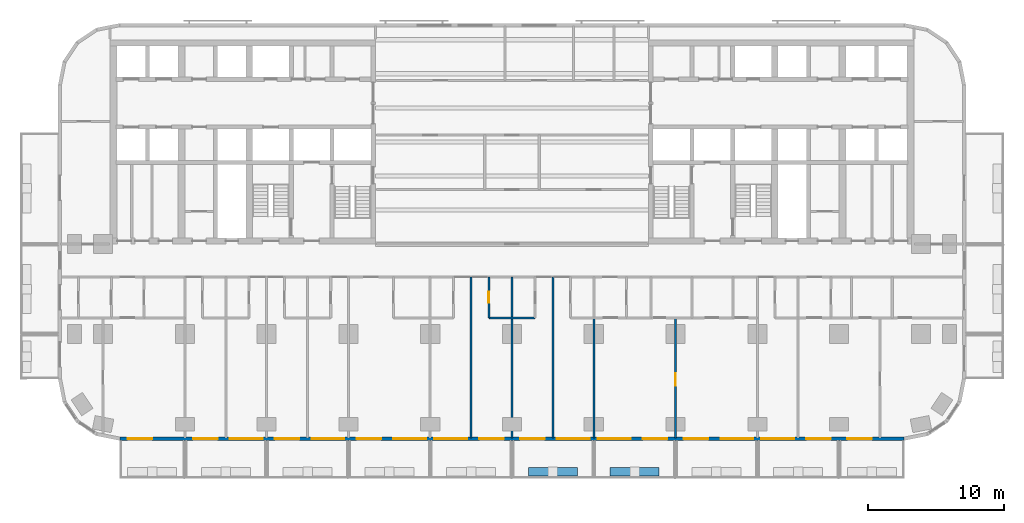
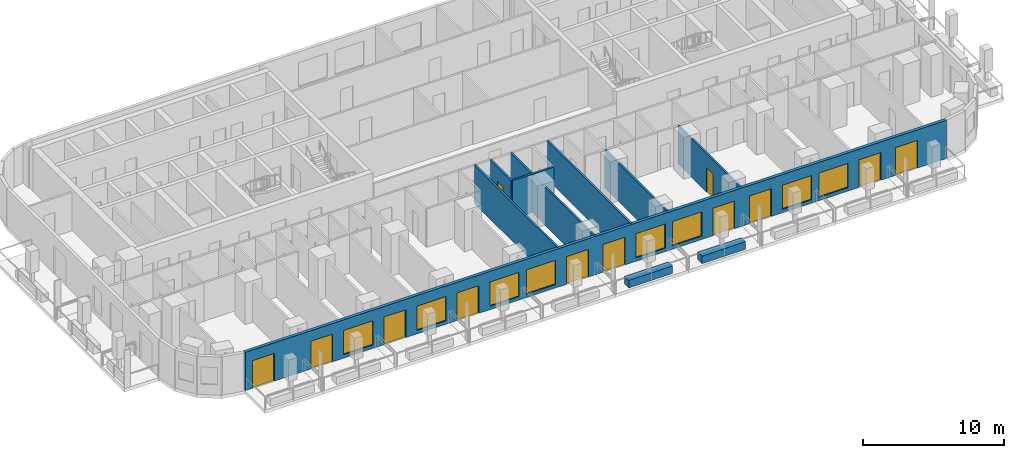
# One storey, part 5 of 15: 12 doors, 10 walls, 8 windows, 20 openings.
"""IFC4 building model written with IfcOpenShell, lengths in metres."""

import ifcopenshell
import ifcopenshell.guid

model = None  # the IFC model being written
_history = None  # IfcOwnerHistory: only IFC2X3 demands one
_inside = {}  # id of a spatial element -> (the spatial element, [elements in it])
_under = {}  # id of a project, library or spatial element -> (it, [spatial elements below it])
_declared = {}  # id of a project -> (the project, [libraries it declares])
_typed = {}  # id of a type object -> (the type object, [elements of that type])
_made_of = {}  # id of a material, layer set ... -> (it, [elements and type objects made of it])


def new_model(schema):
    """Start an empty IFC model of exactly this schema.

    Asked for "IFC4X3", IfcOpenShell would pick the latest addendum, in which some entities
    have other attributes; the version numbers below select the first issue.
    IFC2X3 requires an IfcOwnerHistory on every rooted entity: one is made here for all.
    """
    global model, _history
    if schema == "IFC4X3":
        model = ifcopenshell.file(schema_version=(4, 3, 0, 0))
    else:
        model = ifcopenshell.file(schema=schema)
    _inside.clear()
    _under.clear()
    _declared.clear()
    _typed.clear()
    _made_of.clear()
    _history = None
    if model.schema == "IFC2X3":
        org = make("IfcOrganization", Name="unknown")
        user = make(
            "IfcPersonAndOrganization",
            ThePerson=make("IfcPerson", FamilyName="unknown"),
            TheOrganization=org,
        )
        app = make(
            "IfcApplication",
            ApplicationDeveloper=org,
            Version="unknown",
            ApplicationFullName="unknown",
            ApplicationIdentifier="unknown",
        )
        _history = make(
            "IfcOwnerHistory",
            OwningUser=user,
            OwningApplication=app,
            ChangeAction="ADDED",
            CreationDate=0,
        )
    return model


def make(cls, **values):
    """One entity of the class cls with the attributes given. An attribute that is None is left unset."""
    return model.create_entity(
        cls, **{name: value for name, value in values.items() if value is not None}
    )


def rooted(cls, **values):
    """An entity with a GlobalId (a new one), such as an element, a storey or a relation."""
    return make(cls, GlobalId=ifcopenshell.guid.new(), OwnerHistory=_history, **values)


def si_unit(unit_type, name, prefix=None):
    """IfcSIUnit, for example si_unit("LENGTHUNIT", "METRE", prefix="MILLI")."""
    return make("IfcSIUnit", UnitType=unit_type, Prefix=prefix, Name=name)


def assignment(units):
    """IfcUnitAssignment: the units of a project."""
    return None if units is None else make("IfcUnitAssignment", Units=units)


def point(xyz):
    """IfcCartesianPoint."""
    return None if xyz is None else make("IfcCartesianPoint", Coordinates=xyz)


def direction(xyz):
    """IfcDirection."""
    return None if xyz is None else make("IfcDirection", DirectionRatios=xyz)


def frame(location, z_axis=None, x_axis=None):
    """IfcAxis2Placement3D, a coordinate frame: its origin and axes. An axis left out is left unset."""
    return make(
        "IfcAxis2Placement3D",
        Location=point(location),
        Axis=direction(z_axis),
        RefDirection=direction(x_axis),
    )


def frame_2d(location, x_axis=None):
    """IfcAxis2Placement2D, a coordinate frame in the plane: its origin and x axis."""
    return make(
        "IfcAxis2Placement2D", Location=point(location), RefDirection=direction(x_axis)
    )


def origin():
    """The frame at (0, 0, 0) with its axes left unset."""
    return frame((0.0, 0.0, 0.0))


def place(relative_to, where):
    """IfcLocalPlacement: puts the frame where relative to a parent placement (None: the world)."""
    return make(
        "IfcLocalPlacement", PlacementRelTo=relative_to, RelativePlacement=where
    )


def context(
    kind, dimensions, precision=None, world=None, true_north=None, identifier=None
):
    """IfcGeometricRepresentationContext, for example the 3D "Model" context."""
    return make(
        "IfcGeometricRepresentationContext",
        ContextIdentifier=identifier,
        ContextType=kind,
        CoordinateSpaceDimension=dimensions,
        Precision=precision,
        WorldCoordinateSystem=world,
        TrueNorth=true_north,
    )


def subcontext(parent, identifier, kind, view, scale=None):
    """IfcGeometricRepresentationSubContext, for example "Body" below "Model"."""
    return make(
        "IfcGeometricRepresentationSubContext",
        ContextIdentifier=identifier,
        ContextType=kind,
        ParentContext=parent,
        TargetScale=scale,
        TargetView=view,
    )


def project(units=None, contexts=None):
    """IfcProject with its units and contexts."""
    return rooted(
        "IfcProject",
        Name="project",
        RepresentationContexts=contexts,
        UnitsInContext=assignment(units),
    )


def spatial(cls, under=None, at=None, **own):
    """A site, building, storey or space (cls), placed at a placement, below another one or the project."""
    s = rooted(cls, ObjectPlacement=at, **own)
    if under is not None:
        _under.setdefault(under.id(), (under, []))[1].append(s)
    return s


def profile(cls, at=None, kind="AREA", **sizes):
    """A parametric profile (cls). Its sizes go by their IFC names, for example OverallWidth=200.0."""
    return make(cls, ProfileType=kind, Position=at, **sizes)


def rectangle(**sizes):
    """IfcRectangleProfileDef."""
    return profile("IfcRectangleProfileDef", **sizes)


def extrude(swept, where, along, depth):
    """IfcExtrudedAreaSolid: the profile swept, set in the frame where, extruded along a direction by depth."""
    return make(
        "IfcExtrudedAreaSolid",
        SweptArea=swept,
        Position=where,
        ExtrudedDirection=direction(along),
        Depth=depth,
    )


def shape(context_of_items, identifier, shape_type, items):
    """IfcShapeRepresentation: the items that make up one representation, for example the "Body"."""
    return make(
        "IfcShapeRepresentation",
        ContextOfItems=context_of_items,
        RepresentationIdentifier=identifier,
        RepresentationType=shape_type,
        Items=items,
    )


def material(Name=None, Category=None):
    """IfcMaterial."""
    return make("IfcMaterial", Name=Name, Category=Category)


def layer(
    of_material, thickness, ventilated=None, Name=None, Category=None, Priority=None
):
    """IfcMaterialLayer: one layer of a wall or slab, of a material (None: an air gap)."""
    return make(
        "IfcMaterialLayer",
        Material=of_material,
        LayerThickness=thickness,
        IsVentilated=ventilated,
        Name=Name,
        Category=Category,
        Priority=Priority,
    )


def layer_set(layers, Name=None):
    """IfcMaterialLayerSet."""
    return make("IfcMaterialLayerSet", MaterialLayers=layers, LayerSetName=Name)


def made_of(thing, what):
    """Note that an element or type object is made of a material, layer set ...; save() writes the relation."""
    if what is not None:
        _made_of.setdefault(what.id(), (what, []))[1].append(thing)
    return thing


def type_object(cls, material=None, **own):
    """A type object (cls), such as IfcWallType, which elements share."""
    return made_of(rooted(cls, **own), material)


def element(
    cls,
    number,
    at=None,
    inside=None,
    cuts=None,
    type_object=None,
    material=None,
    context=None,
    identifier="Body",
    shape_type=None,
    held_by="IfcProductDefinitionShape",
    body=None,
    shapes=None,
    **own,
):
    """One element of the class cls, such as IfcWall. Its Tag is "e" and its number.

    at: its placement. inside: the storey or other place that contains it. cuts: it is an
    opening in that element (IfcRelVoidsElement). A single representation is given by context,
    identifier, shape_type and body (its items); several are given by shapes. held_by: the class
    of the entity that holds the representations. save() writes the other relations.
    """
    e = rooted(cls, Tag="e%d" % number, ObjectPlacement=at, **own)
    if body is not None:
        shapes = [shape(context, identifier, shape_type, body)]
    if shapes is not None:
        e.Representation = make(held_by, Representations=shapes)
    if inside is not None:
        _inside.setdefault(inside.id(), (inside, []))[1].append(e)
    if cuts is not None:
        rooted(
            "IfcRelVoidsElement", RelatingBuildingElement=cuts, RelatedOpeningElement=e
        )
    if type_object is not None:
        _typed.setdefault(type_object.id(), (type_object, []))[1].append(e)
    return made_of(e, material)


def fill(opening, filler):
    """IfcRelFillsElement: the door or window that sits in an opening."""
    return rooted(
        "IfcRelFillsElement",
        RelatingOpeningElement=opening,
        RelatedBuildingElement=filler,
    )


def aggregate(whole, parts):
    """IfcRelAggregates: a whole, such as a stair, and the parts it consists of."""
    return rooted("IfcRelAggregates", RelatingObject=whole, RelatedObjects=parts)


def save(model, path):
    """Write the relations noted so far, then the file.

    IfcRelAggregates (storeys below a building ...), IfcRelContainedInSpatialStructure (elements
    in a storey), IfcRelDefinesByType, IfcRelAssociatesMaterial and IfcRelDeclares: one each for
    every whole, place, type object, material and project.
    """
    for whole, parts in _under.values():
        aggregate(whole, parts)
    for where, things in _inside.values():
        rooted(
            "IfcRelContainedInSpatialStructure",
            RelatedElements=things,
            RelatingStructure=where,
        )
    for kind, things in _typed.values():
        rooted("IfcRelDefinesByType", RelatedObjects=things, RelatingType=kind)
    for what, things in _made_of.values():
        rooted("IfcRelAssociatesMaterial", RelatedObjects=things, RelatingMaterial=what)
    for by, libraries in _declared.values():
        rooted("IfcRelDeclares", RelatingContext=by, RelatedDefinitions=libraries)
    model.write(path)


model = new_model("IFC4")

# Units and contexts
model_context = context("Model", 3, precision=1e-05, world=origin(), true_north=direction((0.0, 1.0)))
body_context = subcontext(model_context, "Body", "Model", "MODEL_VIEW")
ifc_project = project(units=[si_unit("LENGTHUNIT", "METRE"), si_unit("AREAUNIT", "SQUARE_METRE"), si_unit("VOLUMEUNIT", "CUBIC_METRE"), si_unit("PLANEANGLEUNIT", "RADIAN"), si_unit("MASSUNIT", "GRAM", prefix="KILO")], contexts=[model_context])

# Site, building, storey
site_placement = place(None, origin())
site = spatial("IfcSite", under=ifc_project, at=site_placement, CompositionType="ELEMENT")
building_placement = place(site_placement, origin())
building = spatial("IfcBuilding", under=site, at=building_placement, Name="Torana Hotel and Residences", CompositionType="ELEMENT")
storey_placement = place(building_placement, frame((0.0, 0.0, 49.199951171875)))
storey = spatial("IfcBuildingStorey", under=building, at=storey_placement, Name="L11", CompositionType="ELEMENT", Elevation=49.199951171875)

# Wall, openings, doors, windows
ifc_material_1 = material(Name="Black aluminium composite panel", Category="aluminium")
ifc_layer_1 = layer(ifc_material_1, 0.00390625, Name="Cladding", Category="cladding")
ifc_material_2 = material(Name="Ventilated air cavity")
ifc_layer_2 = layer(ifc_material_2, 0.0400390625, Name="Ventilated cavity", Category="cavity")
ifc_material_3 = material(Name="Mineral wool insulation")
ifc_layer_3 = layer(ifc_material_3, 0.090087890625, Name="Insulation", Category="insulation")
ifc_material_4 = material(Name="Steel S280GD", Category="steel")
ifc_layer_4 = layer(ifc_material_4, 0.092041015625, Name="Steel stud frame", Category="structure")
ifc_material_5 = material(Name="Fire rated plasterboard")
ifc_layer_5 = layer(ifc_material_5, 0.011962890625, Name="Inner board", Category="finish")
ifc_layer_6 = layer(ifc_material_5, 0.011962890625, Name="Second board", Category="finish")
ifc_layer_set_1 = layer_set([ifc_layer_1, ifc_layer_2, ifc_layer_3, ifc_layer_4, ifc_layer_5, ifc_layer_6], Name="EW1 EXTERNAL WALL BLACK METAL CLAD 250")
wall_type_1 = type_object("IfcWallType", Name="EW1 EXTERNAL WALL BLACK METAL CLAD 250", PredefinedType="SOLIDWALL", material=ifc_layer_set_1)
wall_1_placement = place(storey_placement, frame((-28.775390625, -29.27490234375, 0.0), z_axis=(0.0, 0.0, 1.0), x_axis=(1.0, 0.0, 0.0)))
wall_1 = element("IfcWall", 1, at=wall_1_placement, inside=storey, type_object=wall_type_1, Name="External wall L11 e0.14", PredefinedType="SOLIDWALL", context=body_context, shape_type="SweptSolid", body=[
    extrude(rectangle(XDim=57.55078125, YDim=0.25, at=frame_2d((28.775390625, 0.0))), origin(), (0.0, 0.0, 1.0), 3.320068359375),
])
opening_1_placement = place(wall_1_placement, frame((0.575439453125, 0.0, 0.0)))
opening_1 = element("IfcOpeningElement", 2, at=opening_1_placement, cuts=wall_1, Name="Opening L11-E01", PredefinedType="OPENING", context=body_context, shape_type="SweptSolid", body=[
    extrude(rectangle(XDim=1.800048828125, YDim=2.39990234375, at=frame_2d((0.89990234375, 1.199951171875))), frame((0.0, 0.135009765625, 0.0), z_axis=(0.0, -1.0, 0.0), x_axis=(1.0, 0.0, 0.0)), (0.0, 0.0, 1.0), 0.27001953125),
])
opening_2_placement = place(wall_1_placement, frame((5.37548828125, 0.0, 0.0)))
opening_2 = element("IfcOpeningElement", 3, at=opening_2_placement, cuts=wall_1, Name="Opening L11-E02", PredefinedType="OPENING", context=body_context, shape_type="SweptSolid", body=[
    extrude(rectangle(XDim=1.800048828125, YDim=2.39990234375, at=frame_2d((0.89990234375, 1.199951171875))), frame((0.0, 0.135009765625, 0.0), z_axis=(0.0, -1.0, 0.0), x_axis=(1.0, 0.0, 0.0)), (0.0, 0.0, 1.0), 0.27001953125),
])
opening_3_placement = place(wall_1_placement, frame((8.075439453125, 0.0, 0.300048828125)))
opening_3 = element("IfcOpeningElement", 4, at=opening_3_placement, cuts=wall_1, Name="Opening W1", PredefinedType="OPENING", context=body_context, shape_type="SweptSolid", body=[
    extrude(rectangle(XDim=2.39990234375, YDim=2.10009765625, at=frame_2d((1.199951171875, 1.050048828125))), frame((0.0, 0.135009765625, 0.0), z_axis=(0.0, -1.0, 0.0), x_axis=(1.0, 0.0, 0.0)), (0.0, 0.0, 1.0), 0.27001953125),
])
opening_4_placement = place(wall_1_placement, frame((11.37548828125, 0.0, 0.0)))
opening_4 = element("IfcOpeningElement", 5, at=opening_4_placement, cuts=wall_1, Name="Opening L11-E03", PredefinedType="OPENING", context=body_context, shape_type="SweptSolid", body=[
    extrude(rectangle(XDim=1.800048828125, YDim=2.39990234375, at=frame_2d((0.89990234375, 1.199951171875))), frame((0.0, 0.135009765625, 0.0), z_axis=(0.0, -1.0, 0.0), x_axis=(1.0, 0.0, 0.0)), (0.0, 0.0, 1.0), 0.27001953125),
])
opening_5_placement = place(wall_1_placement, frame((14.075439453125, 0.0, 0.300048828125)))
opening_5 = element("IfcOpeningElement", 6, at=opening_5_placement, cuts=wall_1, Name="Opening W1", PredefinedType="OPENING", context=body_context, shape_type="SweptSolid", body=[
    extrude(rectangle(XDim=2.39990234375, YDim=2.10009765625, at=frame_2d((1.199951171875, 1.050048828125))), frame((0.0, 0.135009765625, 0.0), z_axis=(0.0, -1.0, 0.0), x_axis=(1.0, 0.0, 0.0)), (0.0, 0.0, 1.0), 0.27001953125),
])
opening_6_placement = place(wall_1_placement, frame((17.37548828125, 0.0, 0.0)))
opening_6 = element("IfcOpeningElement", 7, at=opening_6_placement, cuts=wall_1, Name="Opening L11-E04", PredefinedType="OPENING", context=body_context, shape_type="SweptSolid", body=[
    extrude(rectangle(XDim=1.800048828125, YDim=2.39990234375, at=frame_2d((0.89990234375, 1.199951171875))), frame((0.0, 0.135009765625, 0.0), z_axis=(0.0, -1.0, 0.0), x_axis=(1.0, 0.0, 0.0)), (0.0, 0.0, 1.0), 0.27001953125),
])
opening_7_placement = place(wall_1_placement, frame((20.075439453125, 0.0, 0.300048828125)))
opening_7 = element("IfcOpeningElement", 8, at=opening_7_placement, cuts=wall_1, Name="Opening W1", PredefinedType="OPENING", context=body_context, shape_type="SweptSolid", body=[
    extrude(rectangle(XDim=2.39990234375, YDim=2.10009765625, at=frame_2d((1.199951171875, 1.050048828125))), frame((0.0, 0.135009765625, 0.0), z_axis=(0.0, -1.0, 0.0), x_axis=(1.0, 0.0, 0.0)), (0.0, 0.0, 1.0), 0.27001953125),
])
opening_8_placement = place(wall_1_placement, frame((23.075439453125, 0.0, 0.300048828125)))
opening_8 = element("IfcOpeningElement", 9, at=opening_8_placement, cuts=wall_1, Name="Opening W1", PredefinedType="OPENING", context=body_context, shape_type="SweptSolid", body=[
    extrude(rectangle(XDim=2.39990234375, YDim=2.10009765625, at=frame_2d((1.199951171875, 1.050048828125))), frame((0.0, 0.135009765625, 0.0), z_axis=(0.0, -1.0, 0.0), x_axis=(1.0, 0.0, 0.0)), (0.0, 0.0, 1.0), 0.27001953125),
])
opening_9_placement = place(wall_1_placement, frame((26.37548828125, 0.0, 0.0)))
opening_9 = element("IfcOpeningElement", 10, at=opening_9_placement, cuts=wall_1, Name="Opening L11-E05", PredefinedType="OPENING", context=body_context, shape_type="SweptSolid", body=[
    extrude(rectangle(XDim=1.800048828125, YDim=2.39990234375, at=frame_2d((0.89990234375, 1.199951171875))), frame((0.0, 0.135009765625, 0.0), z_axis=(0.0, -1.0, 0.0), x_axis=(1.0, 0.0, 0.0)), (0.0, 0.0, 1.0), 0.27001953125),
])
opening_10_placement = place(wall_1_placement, frame((29.37548828125, 0.0, 0.0)))
opening_10 = element("IfcOpeningElement", 11, at=opening_10_placement, cuts=wall_1, Name="Opening L11-E06", PredefinedType="OPENING", context=body_context, shape_type="SweptSolid", body=[
    extrude(rectangle(XDim=1.800048828125, YDim=2.39990234375, at=frame_2d((0.89990234375, 1.199951171875))), frame((0.0, 0.135009765625, 0.0), z_axis=(0.0, -1.0, 0.0), x_axis=(1.0, 0.0, 0.0)), (0.0, 0.0, 1.0), 0.27001953125),
])
opening_11_placement = place(wall_1_placement, frame((32.075439453125, 0.0, 0.300048828125)))
opening_11 = element("IfcOpeningElement", 12, at=opening_11_placement, cuts=wall_1, Name="Opening W1", PredefinedType="OPENING", context=body_context, shape_type="SweptSolid", body=[
    extrude(rectangle(XDim=2.39990234375, YDim=2.10009765625, at=frame_2d((1.199951171875, 1.050048828125))), frame((0.0, 0.135009765625, 0.0), z_axis=(0.0, -1.0, 0.0), x_axis=(1.0, 0.0, 0.0)), (0.0, 0.0, 1.0), 0.27001953125),
])
opening_12_placement = place(wall_1_placement, frame((35.075439453125, 0.0, 0.300048828125)))
opening_12 = element("IfcOpeningElement", 13, at=opening_12_placement, cuts=wall_1, Name="Opening W1", PredefinedType="OPENING", context=body_context, shape_type="SweptSolid", body=[
    extrude(rectangle(XDim=2.39990234375, YDim=2.10009765625, at=frame_2d((1.199951171875, 1.050048828125))), frame((0.0, 0.135009765625, 0.0), z_axis=(0.0, -1.0, 0.0), x_axis=(1.0, 0.0, 0.0)), (0.0, 0.0, 1.0), 0.27001953125),
])
opening_13_placement = place(wall_1_placement, frame((38.37548828125, 0.0, 0.0)))
opening_13 = element("IfcOpeningElement", 14, at=opening_13_placement, cuts=wall_1, Name="Opening L11-E07", PredefinedType="OPENING", context=body_context, shape_type="SweptSolid", body=[
    extrude(rectangle(XDim=1.800048828125, YDim=2.39990234375, at=frame_2d((0.89990234375, 1.199951171875))), frame((0.0, 0.135009765625, 0.0), z_axis=(0.0, -1.0, 0.0), x_axis=(1.0, 0.0, 0.0)), (0.0, 0.0, 1.0), 0.27001953125),
])
opening_14_placement = place(wall_1_placement, frame((41.37548828125, 0.0, 0.0)))
opening_14 = element("IfcOpeningElement", 15, at=opening_14_placement, cuts=wall_1, Name="Opening L11-E08", PredefinedType="OPENING", context=body_context, shape_type="SweptSolid", body=[
    extrude(rectangle(XDim=1.800048828125, YDim=2.39990234375, at=frame_2d((0.89990234375, 1.199951171875))), frame((0.0, 0.135009765625, 0.0), z_axis=(0.0, -1.0, 0.0), x_axis=(1.0, 0.0, 0.0)), (0.0, 0.0, 1.0), 0.27001953125),
])
opening_15_placement = place(wall_1_placement, frame((44.075439453125, 0.0, 0.300048828125)))
opening_15 = element("IfcOpeningElement", 16, at=opening_15_placement, cuts=wall_1, Name="Opening W1", PredefinedType="OPENING", context=body_context, shape_type="SweptSolid", body=[
    extrude(rectangle(XDim=2.39990234375, YDim=2.10009765625, at=frame_2d((1.199951171875, 1.050048828125))), frame((0.0, 0.135009765625, 0.0), z_axis=(0.0, -1.0, 0.0), x_axis=(1.0, 0.0, 0.0)), (0.0, 0.0, 1.0), 0.27001953125),
])
opening_16_placement = place(wall_1_placement, frame((47.075439453125, 0.0, 0.300048828125)))
opening_16 = element("IfcOpeningElement", 17, at=opening_16_placement, cuts=wall_1, Name="Opening W1", PredefinedType="OPENING", context=body_context, shape_type="SweptSolid", body=[
    extrude(rectangle(XDim=2.39990234375, YDim=2.10009765625, at=frame_2d((1.199951171875, 1.050048828125))), frame((0.0, 0.135009765625, 0.0), z_axis=(0.0, -1.0, 0.0), x_axis=(1.0, 0.0, 0.0)), (0.0, 0.0, 1.0), 0.27001953125),
])
opening_17_placement = place(wall_1_placement, frame((50.37548828125, 0.0, 0.0)))
opening_17 = element("IfcOpeningElement", 18, at=opening_17_placement, cuts=wall_1, Name="Opening L11-E09", PredefinedType="OPENING", context=body_context, shape_type="SweptSolid", body=[
    extrude(rectangle(XDim=1.800048828125, YDim=2.39990234375, at=frame_2d((0.89990234375, 1.199951171875))), frame((0.0, 0.135009765625, 0.0), z_axis=(0.0, -1.0, 0.0), x_axis=(1.0, 0.0, 0.0)), (0.0, 0.0, 1.0), 0.27001953125),
])
opening_18_placement = place(wall_1_placement, frame((53.37548828125, 0.0, 0.0)))
opening_18 = element("IfcOpeningElement", 19, at=opening_18_placement, cuts=wall_1, Name="Opening L11-E10", PredefinedType="OPENING", context=body_context, shape_type="SweptSolid", body=[
    extrude(rectangle(XDim=1.800048828125, YDim=2.39990234375, at=frame_2d((0.89990234375, 1.199951171875))), frame((0.0, 0.135009765625, 0.0), z_axis=(0.0, -1.0, 0.0), x_axis=(1.0, 0.0, 0.0)), (0.0, 0.0, 1.0), 0.27001953125),
])
ifc_material_6 = material(Name="Dark glass in black aluminium frame", Category="aluminium")
door_type_1 = type_object("IfcDoorType", Name="DB1 BALCONY DOOR 1800x2400", OperationType="DOUBLE_DOOR_SINGLE_SWING", PredefinedType="DOOR", material=ifc_material_6)
door_1_placement = place(opening_1_placement, origin())
door_1 = element("IfcDoor", 20, at=door_1_placement, inside=storey, type_object=door_type_1, Name="Balcony door L11", OperationType="DOUBLE_DOOR_SINGLE_SWING", OverallHeight=2.39990234375, OverallWidth=1.800048828125, PredefinedType="DOOR", context=body_context, shape_type="SweptSolid", body=[
    extrude(rectangle(XDim=1.800048828125, YDim=2.39990234375, at=frame_2d((0.89990234375, 1.199951171875))), frame((0.0, 0.02490234375, 0.0), z_axis=(0.0, -1.0, 0.0), x_axis=(1.0, 0.0, 0.0)), (0.0, 0.0, 1.0), 0.050048828125),
])
fill(opening_1, door_1)
door_2_placement = place(opening_2_placement, frame((0.89990234375, 0.0, 0.0), z_axis=(0.0, 0.0, 1.0), x_axis=(-1.0, 0.0, 0.0)))
door_2 = element("IfcDoor", 21, at=door_2_placement, inside=storey, type_object=door_type_1, Name="Balcony door L11", OperationType="DOUBLE_DOOR_SINGLE_SWING", OverallHeight=2.39990234375, OverallWidth=1.800048828125, PredefinedType="DOOR", context=body_context, shape_type="SweptSolid", body=[
    extrude(rectangle(XDim=1.800048828125, YDim=2.39990234375, at=frame_2d((0.0, 1.199951171875))), frame((0.0, -0.02490234375, 0.0), z_axis=(0.0, 1.0, 0.0), x_axis=(-1.0, 0.0, 0.0)), (0.0, 0.0, 1.0), 0.050048828125),
])
fill(opening_2, door_2)
door_3_placement = place(opening_4_placement, frame((0.89990234375, 0.0, 0.0), z_axis=(0.0, 0.0, 1.0), x_axis=(-1.0, 0.0, 0.0)))
door_3 = element("IfcDoor", 22, at=door_3_placement, inside=storey, type_object=door_type_1, Name="Balcony door L11", OperationType="DOUBLE_DOOR_SINGLE_SWING", OverallHeight=2.39990234375, OverallWidth=1.800048828125, PredefinedType="DOOR", context=body_context, shape_type="SweptSolid", body=[
    extrude(rectangle(XDim=1.800048828125, YDim=2.39990234375, at=frame_2d((0.0, 1.199951171875))), frame((0.0, -0.02490234375, 0.0), z_axis=(0.0, 1.0, 0.0), x_axis=(-1.0, 0.0, 0.0)), (0.0, 0.0, 1.0), 0.050048828125),
])
fill(opening_4, door_3)
door_4_placement = place(opening_6_placement, frame((0.89990234375, 0.0, 0.0), z_axis=(0.0, 0.0, 1.0), x_axis=(-1.0, 0.0, 0.0)))
door_4 = element("IfcDoor", 23, at=door_4_placement, inside=storey, type_object=door_type_1, Name="Balcony door L11", OperationType="DOUBLE_DOOR_SINGLE_SWING", OverallHeight=2.39990234375, OverallWidth=1.800048828125, PredefinedType="DOOR", context=body_context, shape_type="SweptSolid", body=[
    extrude(rectangle(XDim=1.800048828125, YDim=2.39990234375, at=frame_2d((0.0, 1.199951171875))), frame((0.0, -0.02490234375, 0.0), z_axis=(0.0, 1.0, 0.0), x_axis=(-1.0, 0.0, 0.0)), (0.0, 0.0, 1.0), 0.050048828125),
])
fill(opening_6, door_4)
door_5_placement = place(opening_9_placement, frame((0.89990234375, 0.0, 0.0), z_axis=(0.0, 0.0, 1.0), x_axis=(-1.0, 0.0, 0.0)))
door_5 = element("IfcDoor", 24, at=door_5_placement, inside=storey, type_object=door_type_1, Name="Balcony door L11", OperationType="DOUBLE_DOOR_SINGLE_SWING", OverallHeight=2.39990234375, OverallWidth=1.800048828125, PredefinedType="DOOR", context=body_context, shape_type="SweptSolid", body=[
    extrude(rectangle(XDim=1.800048828125, YDim=2.39990234375, at=frame_2d((0.0, 1.199951171875))), frame((0.0, -0.02490234375, 0.0), z_axis=(0.0, 1.0, 0.0), x_axis=(-1.0, 0.0, 0.0)), (0.0, 0.0, 1.0), 0.050048828125),
])
fill(opening_9, door_5)
door_6_placement = place(opening_10_placement, frame((0.89990234375, 0.0, 0.0), z_axis=(0.0, 0.0, 1.0), x_axis=(-1.0, 0.0, 0.0)))
door_6 = element("IfcDoor", 25, at=door_6_placement, inside=storey, type_object=door_type_1, Name="Balcony door L11", OperationType="DOUBLE_DOOR_SINGLE_SWING", OverallHeight=2.39990234375, OverallWidth=1.800048828125, PredefinedType="DOOR", context=body_context, shape_type="SweptSolid", body=[
    extrude(rectangle(XDim=1.800048828125, YDim=2.39990234375, at=frame_2d((0.0, 1.199951171875))), frame((0.0, -0.02490234375, 0.0), z_axis=(0.0, 1.0, 0.0), x_axis=(-1.0, 0.0, 0.0)), (0.0, 0.0, 1.0), 0.050048828125),
])
fill(opening_10, door_6)
door_7_placement = place(opening_13_placement, frame((0.89990234375, 0.0, 0.0), z_axis=(0.0, 0.0, 1.0), x_axis=(-1.0, 0.0, 0.0)))
door_7 = element("IfcDoor", 26, at=door_7_placement, inside=storey, type_object=door_type_1, Name="Balcony door L11", OperationType="DOUBLE_DOOR_SINGLE_SWING", OverallHeight=2.39990234375, OverallWidth=1.800048828125, PredefinedType="DOOR", context=body_context, shape_type="SweptSolid", body=[
    extrude(rectangle(XDim=1.800048828125, YDim=2.39990234375, at=frame_2d((0.0, 1.199951171875))), frame((0.0, -0.02490234375, 0.0), z_axis=(0.0, 1.0, 0.0), x_axis=(-1.0, 0.0, 0.0)), (0.0, 0.0, 1.0), 0.050048828125),
])
fill(opening_13, door_7)
door_8_placement = place(opening_14_placement, frame((0.89990234375, 0.0, 0.0), z_axis=(0.0, 0.0, 1.0), x_axis=(-1.0, 0.0, 0.0)))
door_8 = element("IfcDoor", 27, at=door_8_placement, inside=storey, type_object=door_type_1, Name="Balcony door L11", OperationType="DOUBLE_DOOR_SINGLE_SWING", OverallHeight=2.39990234375, OverallWidth=1.800048828125, PredefinedType="DOOR", context=body_context, shape_type="SweptSolid", body=[
    extrude(rectangle(XDim=1.800048828125, YDim=2.39990234375, at=frame_2d((0.0, 1.199951171875))), frame((0.0, -0.02490234375, 0.0), z_axis=(0.0, 1.0, 0.0), x_axis=(-1.0, 0.0, 0.0)), (0.0, 0.0, 1.0), 0.050048828125),
])
fill(opening_14, door_8)
door_9_placement = place(opening_17_placement, frame((0.89990234375, 0.0, 0.0), z_axis=(0.0, 0.0, 1.0), x_axis=(-1.0, 0.0, 0.0)))
door_9 = element("IfcDoor", 28, at=door_9_placement, inside=storey, type_object=door_type_1, Name="Balcony door L11", OperationType="DOUBLE_DOOR_SINGLE_SWING", OverallHeight=2.39990234375, OverallWidth=1.800048828125, PredefinedType="DOOR", context=body_context, shape_type="SweptSolid", body=[
    extrude(rectangle(XDim=1.800048828125, YDim=2.39990234375, at=frame_2d((0.0, 1.199951171875))), frame((0.0, -0.02490234375, 0.0), z_axis=(0.0, 1.0, 0.0), x_axis=(-1.0, 0.0, 0.0)), (0.0, 0.0, 1.0), 0.050048828125),
])
fill(opening_17, door_9)
door_10_placement = place(opening_18_placement, frame((0.89990234375, 0.0, 0.0), z_axis=(0.0, 0.0, 1.0), x_axis=(-1.0, 0.0, 0.0)))
door_10 = element("IfcDoor", 29, at=door_10_placement, inside=storey, type_object=door_type_1, Name="Balcony door L11", OperationType="DOUBLE_DOOR_SINGLE_SWING", OverallHeight=2.39990234375, OverallWidth=1.800048828125, PredefinedType="DOOR", context=body_context, shape_type="SweptSolid", body=[
    extrude(rectangle(XDim=1.800048828125, YDim=2.39990234375, at=frame_2d((0.0, 1.199951171875))), frame((0.0, -0.02490234375, 0.0), z_axis=(0.0, 1.0, 0.0), x_axis=(-1.0, 0.0, 0.0)), (0.0, 0.0, 1.0), 0.050048828125),
])
fill(opening_18, door_10)
ifc_material_7 = material(Name="Dark glass in black aluminium frame", Category="aluminium")
window_type = type_object("IfcWindowType", Name="W1 HOTEL ROOM WINDOW 2400x2100", PartitioningType="SINGLE_PANEL", PredefinedType="WINDOW", material=ifc_material_7)
window_1_placement = place(opening_3_placement, origin())
window_1 = element("IfcWindow", 30, at=window_1_placement, inside=storey, type_object=window_type, Name="Window L11", OverallHeight=2.10009765625, OverallWidth=2.39990234375, PartitioningType="SINGLE_PANEL", PredefinedType="WINDOW", context=body_context, shape_type="SweptSolid", body=[
    extrude(rectangle(XDim=2.39990234375, YDim=2.10009765625, at=frame_2d((1.199951171875, 1.050048828125))), frame((0.0, 0.030029296875, 0.0), z_axis=(0.0, -1.0, 0.0), x_axis=(1.0, 0.0, 0.0)), (0.0, 0.0, 1.0), 0.06005859375),
])
fill(opening_3, window_1)
window_2_placement = place(opening_5_placement, origin())
window_2 = element("IfcWindow", 31, at=window_2_placement, inside=storey, type_object=window_type, Name="Window L11", OverallHeight=2.10009765625, OverallWidth=2.39990234375, PartitioningType="SINGLE_PANEL", PredefinedType="WINDOW", context=body_context, shape_type="SweptSolid", body=[
    extrude(rectangle(XDim=2.39990234375, YDim=2.10009765625, at=frame_2d((1.199951171875, 1.050048828125))), frame((0.0, 0.030029296875, 0.0), z_axis=(0.0, -1.0, 0.0), x_axis=(1.0, 0.0, 0.0)), (0.0, 0.0, 1.0), 0.06005859375),
])
fill(opening_5, window_2)
window_3_placement = place(opening_7_placement, origin())
window_3 = element("IfcWindow", 32, at=window_3_placement, inside=storey, type_object=window_type, Name="Window L11", OverallHeight=2.10009765625, OverallWidth=2.39990234375, PartitioningType="SINGLE_PANEL", PredefinedType="WINDOW", context=body_context, shape_type="SweptSolid", body=[
    extrude(rectangle(XDim=2.39990234375, YDim=2.10009765625, at=frame_2d((1.199951171875, 1.050048828125))), frame((0.0, 0.030029296875, 0.0), z_axis=(0.0, -1.0, 0.0), x_axis=(1.0, 0.0, 0.0)), (0.0, 0.0, 1.0), 0.06005859375),
])
fill(opening_7, window_3)
window_4_placement = place(opening_8_placement, origin())
window_4 = element("IfcWindow", 33, at=window_4_placement, inside=storey, type_object=window_type, Name="Window L11", OverallHeight=2.10009765625, OverallWidth=2.39990234375, PartitioningType="SINGLE_PANEL", PredefinedType="WINDOW", context=body_context, shape_type="SweptSolid", body=[
    extrude(rectangle(XDim=2.39990234375, YDim=2.10009765625, at=frame_2d((1.199951171875, 1.050048828125))), frame((0.0, 0.030029296875, 0.0), z_axis=(0.0, -1.0, 0.0), x_axis=(1.0, 0.0, 0.0)), (0.0, 0.0, 1.0), 0.06005859375),
])
fill(opening_8, window_4)
window_5_placement = place(opening_11_placement, origin())
window_5 = element("IfcWindow", 34, at=window_5_placement, inside=storey, type_object=window_type, Name="Window L11", OverallHeight=2.10009765625, OverallWidth=2.39990234375, PartitioningType="SINGLE_PANEL", PredefinedType="WINDOW", context=body_context, shape_type="SweptSolid", body=[
    extrude(rectangle(XDim=2.39990234375, YDim=2.10009765625, at=frame_2d((1.199951171875, 1.050048828125))), frame((0.0, 0.030029296875, 0.0), z_axis=(0.0, -1.0, 0.0), x_axis=(1.0, 0.0, 0.0)), (0.0, 0.0, 1.0), 0.06005859375),
])
fill(opening_11, window_5)
window_6_placement = place(opening_12_placement, origin())
window_6 = element("IfcWindow", 35, at=window_6_placement, inside=storey, type_object=window_type, Name="Window L11", OverallHeight=2.10009765625, OverallWidth=2.39990234375, PartitioningType="SINGLE_PANEL", PredefinedType="WINDOW", context=body_context, shape_type="SweptSolid", body=[
    extrude(rectangle(XDim=2.39990234375, YDim=2.10009765625, at=frame_2d((1.199951171875, 1.050048828125))), frame((0.0, 0.030029296875, 0.0), z_axis=(0.0, -1.0, 0.0), x_axis=(1.0, 0.0, 0.0)), (0.0, 0.0, 1.0), 0.06005859375),
])
fill(opening_12, window_6)
window_7_placement = place(opening_15_placement, origin())
window_7 = element("IfcWindow", 36, at=window_7_placement, inside=storey, type_object=window_type, Name="Window L11", OverallHeight=2.10009765625, OverallWidth=2.39990234375, PartitioningType="SINGLE_PANEL", PredefinedType="WINDOW", context=body_context, shape_type="SweptSolid", body=[
    extrude(rectangle(XDim=2.39990234375, YDim=2.10009765625, at=frame_2d((1.199951171875, 1.050048828125))), frame((0.0, 0.030029296875, 0.0), z_axis=(0.0, -1.0, 0.0), x_axis=(1.0, 0.0, 0.0)), (0.0, 0.0, 1.0), 0.06005859375),
])
fill(opening_15, window_7)
window_8_placement = place(opening_16_placement, origin())
window_8 = element("IfcWindow", 37, at=window_8_placement, inside=storey, type_object=window_type, Name="Window L11", OverallHeight=2.10009765625, OverallWidth=2.39990234375, PartitioningType="SINGLE_PANEL", PredefinedType="WINDOW", context=body_context, shape_type="SweptSolid", body=[
    extrude(rectangle(XDim=2.39990234375, YDim=2.10009765625, at=frame_2d((1.199951171875, 1.050048828125))), frame((0.0, 0.030029296875, 0.0), z_axis=(0.0, -1.0, 0.0), x_axis=(1.0, 0.0, 0.0)), (0.0, 0.0, 1.0), 0.06005859375),
])
fill(opening_16, window_8)

# Wall, opening, door
ifc_material_8 = material(Name="Gypsum plasterboard")
ifc_layer_7 = layer(ifc_material_8, 0.012451171875, Name="Plasterboard", Category="finish")
ifc_layer_8 = layer(ifc_material_8, 0.012451171875, Name="Plasterboard", Category="finish")
ifc_layer_9 = layer(ifc_material_4, 0.10009765625, Name="Steel studs with mineral wool", Category="insulation")
ifc_layer_10 = layer(ifc_material_8, 0.012451171875, Name="Plasterboard", Category="finish")
ifc_layer_11 = layer(ifc_material_8, 0.012451171875, Name="Plasterboard", Category="finish")
ifc_layer_set_2 = layer_set([ifc_layer_7, ifc_layer_8, ifc_layer_9, ifc_layer_10, ifc_layer_11], Name="PARTITION 150 PLASTERBOARD")
wall_type_2 = type_object("IfcWallType", Name="PARTITION 150 PLASTERBOARD", PredefinedType="PARTITIONING", material=ifc_layer_set_2)
wall_2_placement = place(storey_placement, frame((12.0, -29.219970703125, 0.0), z_axis=(0.0, 0.0, 1.0), x_axis=(0.0, 1.0, 0.0)))
wall_2 = element("IfcWall", 38, at=wall_2_placement, inside=storey, type_object=wall_type_2, Name="Partition L11", PredefinedType="PARTITIONING", context=body_context, shape_type="SweptSolid", body=[
    extrude(rectangle(XDim=8.820068359375, YDim=0.14990234375, at=frame_2d((4.41015625, 0.0))), origin(), (0.0, 0.0, 1.0), 3.320068359375),
])
opening_19_placement = place(wall_2_placement, frame((3.85009765625, 0.0, 0.0)))
opening_19 = element("IfcOpeningElement", 39, at=opening_19_placement, cuts=wall_2, Name="Opening L11-77", PredefinedType="OPENING", context=body_context, shape_type="SweptSolid", body=[
    extrude(rectangle(XDim=0.89990234375, YDim=2.10009765625, at=frame_2d((0.449951171875, 1.050048828125))), frame((0.0, 0.0849609375, 0.0), z_axis=(0.0, -1.0, 0.0), x_axis=(1.0, 0.0, 0.0)), (0.0, 0.0, 1.0), 0.169921875),
])
ifc_material_9 = material(Name="Timber door, oiled ash", Category="wood")
door_type_2 = type_object("IfcDoorType", Name="ROOM DOOR D7 900x2100", OperationType="SINGLE_SWING_LEFT", PredefinedType="DOOR", material=ifc_material_9)
door_11_placement = place(opening_19_placement, origin())
door_11 = element("IfcDoor", 40, at=door_11_placement, inside=storey, type_object=door_type_2, Name="Door L11", OperationType="SINGLE_SWING_RIGHT", OverallHeight=2.10009765625, OverallWidth=0.89990234375, PredefinedType="DOOR", context=body_context, shape_type="SweptSolid", body=[
    extrude(rectangle(XDim=0.89990234375, YDim=2.10009765625, at=frame_2d((0.449951171875, 1.050048828125))), frame((0.0, 0.02490234375, 0.0), z_axis=(0.0, -1.0, 0.0), x_axis=(1.0, 0.0, 0.0)), (0.0, 0.0, 1.0), 0.050048828125),
])
fill(opening_19, door_11)

# Walls
wall_3_placement = place(storey_placement, frame((6.0, -29.219970703125, 0.0), z_axis=(0.0, 0.0, 1.0), x_axis=(0.0, 1.0, 0.0)))
element("IfcWall", 41, at=wall_3_placement, inside=storey, type_object=wall_type_2, Name="Partition L11", PredefinedType="PARTITIONING", context=body_context, shape_type="SweptSolid", body=[
    extrude(rectangle(XDim=8.820068359375, YDim=0.14990234375, at=frame_2d((4.41015625, 0.0))), origin(), (0.0, 0.0, 1.0), 3.320068359375),
])
for number, where, z_axis, x_axis, name in (
    (42, (3.0, -29.219970703125, 0.0), (0.0, 0.0, 1.0), (0.0, 1.0, 0.0), "Partition L11"),
    (43, (0.0, -29.219970703125, 0.0), (0.0, 0.0, 1.0), (0.0, 1.0, 0.0), "Partition L11"),
):
    element("IfcWall", number, at=place(storey_placement, frame(where, z_axis=z_axis, x_axis=x_axis)), inside=storey, type_object=wall_type_2, Name=name, PredefinedType="PARTITIONING", context=body_context, shape_type="SweptSolid", body=[
        extrude(rectangle(XDim=11.820068359375, YDim=0.14990234375, at=frame_2d((5.91015625, 0.0))), origin(), (0.0, 0.0, 1.0), 3.320068359375),
    ])

# Wall, opening, door
wall_4_placement = place(storey_placement, frame((-1.699951171875, -20.39990234375, 0.0), z_axis=(0.0, 0.0, 1.0), x_axis=(0.0, 1.0, 0.0)))
wall_4 = element("IfcWall", 44, at=wall_4_placement, inside=storey, type_object=wall_type_2, Name="Partition L11", PredefinedType="PARTITIONING", context=body_context, shape_type="SweptSolid", body=[
    extrude(rectangle(XDim=3.0, YDim=0.14990234375, at=frame_2d((1.5, 0.0))), origin(), (0.0, 0.0, 1.0), 3.320068359375),
])
opening_20_placement = place(wall_4_placement, frame((1.1201171875, 0.0, 0.0)))
opening_20 = element("IfcOpeningElement", 45, at=opening_20_placement, cuts=wall_4, Name="Opening L11-69", PredefinedType="OPENING", context=body_context, shape_type="SweptSolid", body=[
    extrude(rectangle(XDim=0.800048828125, YDim=2.10009765625, at=frame_2d((0.39990234375, 1.050048828125))), frame((0.0, 0.0849609375, 0.0), z_axis=(0.0, -1.0, 0.0), x_axis=(1.0, 0.0, 0.0)), (0.0, 0.0, 1.0), 0.169921875),
])
ifc_material_10 = material(Name="Timber door, painted", Category="wood")
door_type_3 = type_object("IfcDoorType", Name="BATH DOOR D13 800x2100", OperationType="SINGLE_SWING_LEFT", PredefinedType="DOOR", material=ifc_material_10)
door_12_placement = place(opening_20_placement, origin())
door_12 = element("IfcDoor", 46, at=door_12_placement, inside=storey, type_object=door_type_3, Name="Door L11", OperationType="SINGLE_SWING_LEFT", OverallHeight=2.10009765625, OverallWidth=0.800048828125, PredefinedType="DOOR", context=body_context, shape_type="SweptSolid", body=[
    extrude(rectangle(XDim=0.800048828125, YDim=2.10009765625, at=frame_2d((0.39990234375, 1.050048828125))), frame((0.0, 0.02490234375, 0.0), z_axis=(0.0, -1.0, 0.0), x_axis=(1.0, 0.0, 0.0)), (0.0, 0.0, 1.0), 0.050048828125),
])
fill(opening_20, door_12)

# Walls
wall_5_placement = place(storey_placement, frame((-3.0, -29.219970703125, 0.0), z_axis=(0.0, 0.0, 1.0), x_axis=(0.0, 1.0, 0.0)))
element("IfcWall", 47, at=wall_5_placement, inside=storey, type_object=wall_type_2, Name="Partition L11", PredefinedType="PARTITIONING", context=body_context, shape_type="SweptSolid", body=[
    extrude(rectangle(XDim=11.820068359375, YDim=0.14990234375, at=frame_2d((5.91015625, 0.0))), origin(), (0.0, 0.0, 1.0), 3.320068359375),
])
wall_6_placement = place(storey_placement, frame((-1.699951171875, -20.39990234375, 0.0), z_axis=(0.0, 0.0, 1.0), x_axis=(1.0, 0.0, 0.0)))
element("IfcWall", 48, at=wall_6_placement, inside=storey, type_object=wall_type_2, Name="Partition L11", PredefinedType="PARTITIONING", context=body_context, shape_type="SweptSolid", body=[
    extrude(rectangle(XDim=3.39990234375, YDim=0.14990234375, at=frame_2d((1.699951171875, 0.0))), origin(), (0.0, 0.0, 1.0), 3.320068359375),
])
ifc_material_11 = material(Name="Concrete C40/50 precast", Category="concrete")
ifc_layer_12 = layer(ifc_material_11, 0.10009765625, Name="Planter shell", Category="structure")
ifc_material_12 = material(Name="Root resistant membrane")
ifc_layer_13 = layer(ifc_material_12, 0.00390625, Name="Waterproofing membrane", Category="membrane")
ifc_material_13 = material(Name="Drainage board with filter fleece")
ifc_layer_14 = layer(ifc_material_13, 0.02001953125, Name="Drainage board", Category="drainage")
ifc_material_14 = material(Name="Growing medium")
ifc_layer_15 = layer(ifc_material_14, 0.47607421875, Name="Planting substrate", Category="soil")
ifc_layer_set_3 = layer_set([ifc_layer_12, ifc_layer_13, ifc_layer_14, ifc_layer_15], Name="PL1 BALCONY PLANTER 600")
wall_type_3 = type_object("IfcWallType", Name="PL1 BALCONY PLANTER 600", PredefinedType="USERDEFINED", material=ifc_layer_set_3)
for number, where, z_axis, x_axis, name in (
    (49, (4.800048828125, -31.699951171875, 0.0), (0.0, 0.0, 1.0), (-1.0, 0.0, 0.0), "Planter 06"),
    (50, (10.800048828125, -31.699951171875, 0.0), (0.0, 0.0, 1.0), (-1.0, 0.0, 0.0), "Planter 07"),
):
    element("IfcWall", number, at=place(storey_placement, frame(where, z_axis=z_axis, x_axis=x_axis)), inside=storey, type_object=wall_type_3, Name=name, ObjectType="PLANTER", PredefinedType="USERDEFINED", context=body_context, shape_type="SweptSolid", body=[
        extrude(rectangle(XDim=3.60009765625, YDim=0.60009765625, at=frame_2d((1.800048828125, 0.0))), origin(), (0.0, 0.0, 1.0), 0.650146484375),
    ])

save(model, "model.ifc")
